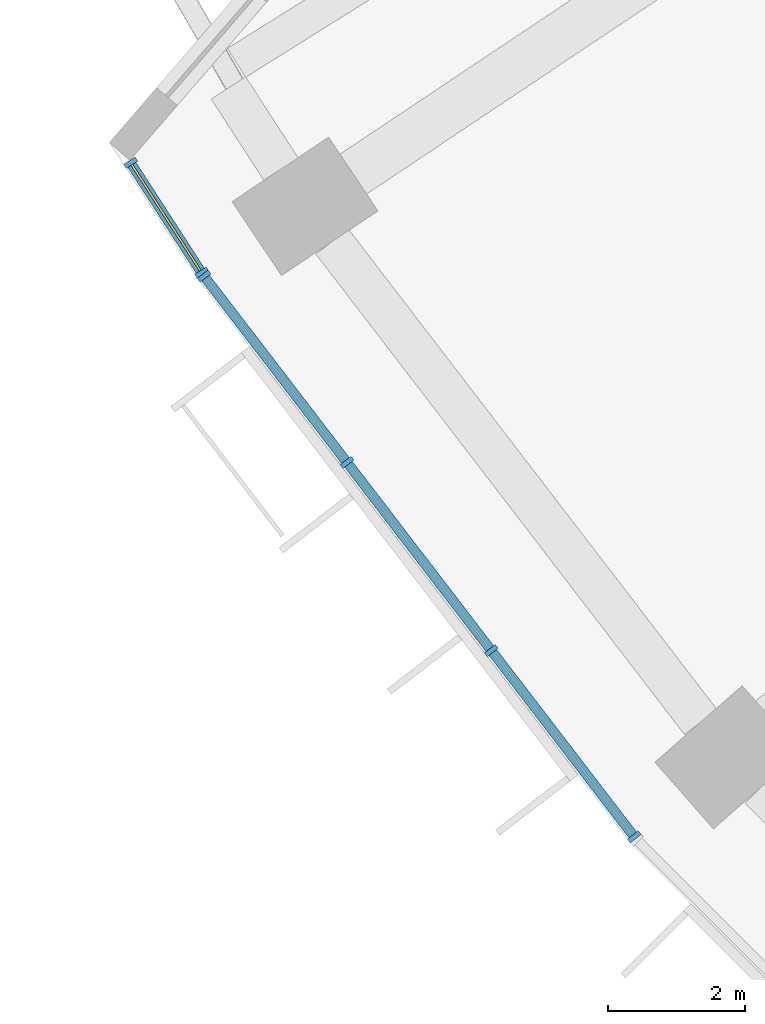
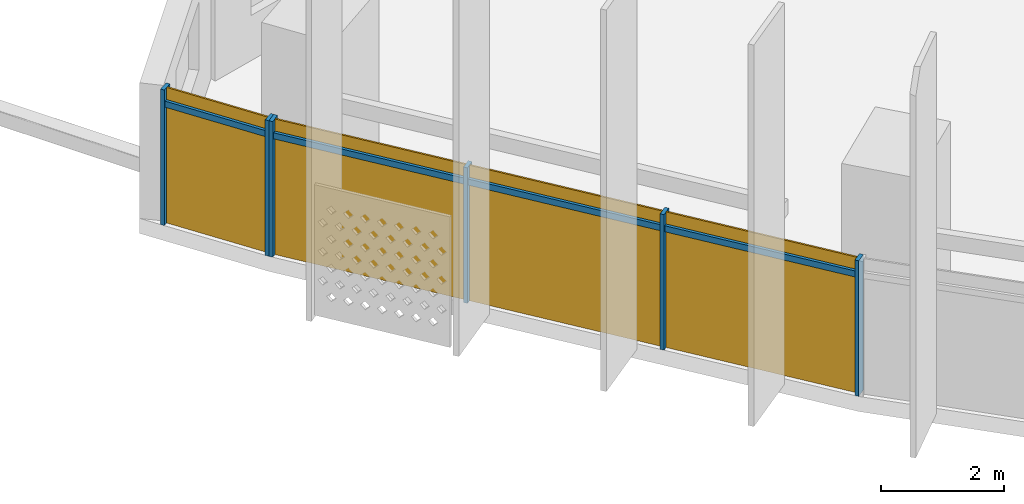
# One storey, part 20 of 31: 10 members, 2 curtain walls.
"""IFC4 building model written with IfcOpenShell, lengths in metres."""

from ifc_helpers import new_model, si_unit, direction, frame, origin, origin_2d, place, context, subcontext, project, spatial, rectangle, extrude, material, material_profile, profile_set, type_object, element, aggregate, save


model = new_model("IFC4")

# Units and contexts
model_context = context("Model", 3, precision=1e-05, world=origin(), true_north=direction((0.0, 1.0)))
body_context = subcontext(model_context, "Body", "Model", "MODEL_VIEW")
ifc_project = project(units=[si_unit("LENGTHUNIT", "METRE"), si_unit("AREAUNIT", "SQUARE_METRE"), si_unit("VOLUMEUNIT", "CUBIC_METRE"), si_unit("PLANEANGLEUNIT", "RADIAN"), si_unit("MASSUNIT", "GRAM", prefix="KILO")], contexts=[model_context])

# Member
ifc_material = material(Name="Aluminium 6063-T6 anodised", Category="aluminium")
ifc_material_profile_1 = material_profile(ifc_material, rectangle(XDim=0.199951171875, YDim=0.070068359375, at=origin_2d()))
ifc_profile_set_1 = profile_set([ifc_material_profile_1], Name="Aluminium 6063-T6 anodised")
member_type_1 = type_object("IfcMemberType", Name="Mullion 70 x 200 aluminium", PredefinedType="MULLION", material=ifc_profile_set_1)
site_placement = place(None, origin())
building_placement = place(site_placement, origin())
storey_placement = place(building_placement, frame((0.0, 0.0, 55.699951171875)))
member_1_placement = place(storey_placement, frame((-67.2021484375, -42.558837890625, 0.0), z_axis=(0.0, 0.0, 1.0), x_axis=(0.839646175777, 0.543133776802, 0.0)))
member_1 = element("IfcMember", 1, at=member_1_placement, type_object=member_type_1, Name="e-cw1-L10-out00/M00", PredefinedType="MULLION", context=body_context, shape_type="SweptSolid", body=[
    extrude(rectangle(XDim=0.199951171875, YDim=0.070068359375, at=origin_2d()), origin(), (0.0, 0.0, 1.0), 2.699951171875),
])

member_2_placement = place(storey_placement, frame((-66.16162109375, -44.16748046875, 0.0), z_axis=(0.0, 0.0, 1.0), x_axis=(0.839646175777, 0.543133776802, 0.0)))
member_2 = element("IfcMember", 2, at=member_2_placement, type_object=member_type_1, Name="e-cw1-L10-out00/M01", PredefinedType="MULLION", context=body_context, shape_type="SweptSolid", body=[
    extrude(rectangle(XDim=0.199951171875, YDim=0.070068359375, at=origin_2d()), origin(), (0.0, 0.0, 1.0), 2.699951171875),
])

member_3_placement = place(storey_placement, frame((-66.1259765625, -44.218017578125, 0.0), z_axis=(0.0, 0.0, 1.0), x_axis=(0.793353340291, 0.608761429009, 0.0)))
member_3 = element("IfcMember", 3, at=member_3_placement, type_object=member_type_1, Name="e-cw1-L10-out01/M00", PredefinedType="MULLION", context=body_context, shape_type="SweptSolid", body=[
    extrude(rectangle(XDim=0.199951171875, YDim=0.070068359375, at=origin_2d()), origin(), (0.0, 0.0, 1.0), 2.699951171875),
])

member_4_placement = place(storey_placement, frame((-64.032958984375, -46.945556640625, 0.0), z_axis=(0.0, 0.0, 1.0), x_axis=(0.793353340291, 0.608761429009, 0.0)))
member_4 = element("IfcMember", 4, at=member_4_placement, type_object=member_type_1, Name="e-cw1-L10-out01/M01", PredefinedType="MULLION", context=body_context, shape_type="SweptSolid", body=[
    extrude(rectangle(XDim=0.199951171875, YDim=0.070068359375, at=origin_2d()), origin(), (0.0, 0.0, 1.0), 2.699951171875),
])

member_5_placement = place(storey_placement, frame((-61.9189453125, -49.70068359375, 0.0), z_axis=(0.0, 0.0, 1.0), x_axis=(0.793353340291, 0.608761429009, 0.0)))
member_5 = element("IfcMember", 5, at=member_5_placement, type_object=member_type_1, Name="e-cw1-L10-out01/M02", PredefinedType="MULLION", context=body_context, shape_type="SweptSolid", body=[
    extrude(rectangle(XDim=0.199951171875, YDim=0.070068359375, at=origin_2d()), origin(), (0.0, 0.0, 1.0), 2.699951171875),
])

member_6_placement = place(storey_placement, frame((-59.825927734375, -52.42822265625, 0.0), z_axis=(0.0, 0.0, 1.0), x_axis=(0.793353340291, 0.608761429009, 0.0)))
member_6 = element("IfcMember", 6, at=member_6_placement, type_object=member_type_1, Name="e-cw1-L10-out01/M03", PredefinedType="MULLION", context=body_context, shape_type="SweptSolid", body=[
    extrude(rectangle(XDim=0.199951171875, YDim=0.070068359375, at=origin_2d()), origin(), (0.0, 0.0, 1.0), 2.699951171875),
])

ifc_material_profile_2 = material_profile(ifc_material, rectangle(XDim=0.139892578125, YDim=0.1201171875, at=origin_2d()))
ifc_profile_set_2 = profile_set([ifc_material_profile_2], Name="Aluminium 6063-T6 anodised")
member_type_2 = type_object("IfcMemberType", Name="Transom 120 x 140 aluminium", PredefinedType="USERDEFINED", material=ifc_profile_set_2)
member_7_placement = place(storey_placement, frame((-67.18310546875, -42.588134765625, 2.400146484375), z_axis=(0.543048360282, -0.83970142217, 0.0), x_axis=(0.83970142217, 0.543048360282, 0.0)))
member_7 = element("IfcMember", 7, at=member_7_placement, type_object=member_type_2, Name="e-cw1-L10-out00/T00", ObjectType="TRANSOM", PredefinedType="USERDEFINED", context=body_context, shape_type="SweptSolid", body=[
    extrude(rectangle(XDim=0.139892578125, YDim=0.1201171875, at=origin_2d()), origin(), (0.0, 0.0, 1.0), 1.845947265625),
])

member_8_placement = place(storey_placement, frame((-66.1044921875, -44.245849609375, 2.400146484375), z_axis=(0.608732839803, -0.793375276742, 0.0), x_axis=(0.793375276742, 0.608732839803, 0.0)))
member_8 = element("IfcMember", 8, at=member_8_placement, type_object=member_type_2, Name="e-cw1-L10-out01/T00", ObjectType="TRANSOM", PredefinedType="USERDEFINED", context=body_context, shape_type="SweptSolid", body=[
    extrude(rectangle(XDim=0.139892578125, YDim=0.1201171875, at=origin_2d()), origin(), (0.0, 0.0, 1.0), 3.36767578125),
])

member_9_placement = place(storey_placement, frame((-64.01171875, -46.973388671875, 2.400146484375), z_axis=(0.60875683052, -0.793356868815, 0.0), x_axis=(0.793356868815, 0.60875683052, 0.0)))
member_9 = element("IfcMember", 9, at=member_9_placement, type_object=member_type_2, Name="e-cw1-L10-out01/T01", ObjectType="TRANSOM", PredefinedType="USERDEFINED", context=body_context, shape_type="SweptSolid", body=[
    extrude(rectangle(XDim=0.139892578125, YDim=0.1201171875, at=origin_2d()), origin(), (0.0, 0.0, 1.0), 3.40283203125),
])

member_10_placement = place(storey_placement, frame((-61.8974609375, -49.728515625, 2.400146484375), z_axis=(0.608732839803, -0.793375276742, 0.0), x_axis=(0.793375276742, 0.608732839803, 0.0)))
member_10 = element("IfcMember", 10, at=member_10_placement, type_object=member_type_2, Name="e-cw1-L10-out01/T02", ObjectType="TRANSOM", PredefinedType="USERDEFINED", context=body_context, shape_type="SweptSolid", body=[
    extrude(rectangle(XDim=0.139892578125, YDim=0.1201171875, at=origin_2d()), origin(), (0.0, 0.0, 1.0), 3.36767578125),
])

# Site, building, storey
site = spatial("IfcSite", under=ifc_project, at=site_placement, CompositionType="ELEMENT")
building = spatial("IfcBuilding", under=site, at=building_placement, Name="Qamariyya Broadcast Tower", CompositionType="ELEMENT")
storey = spatial("IfcBuildingStorey", under=building, at=storey_placement, Name="L10", CompositionType="ELEMENT", Elevation=55.699951171875)

# Curtain wall
curtain_wall_type = type_object("IfcCurtainWallType", Name="Unitised curtain wall, anodised aluminium", PredefinedType="NOTDEFINED", material=ifc_material)
curtain_wall_1_placement = place(storey_placement, origin())
curtain_wall_1 = element("IfcCurtainWall", 11, at=curtain_wall_1_placement, inside=storey, type_object=curtain_wall_type, Name="e-cw1-L10-out00", PredefinedType="NOTDEFINED", context=body_context, shape_type="SweptSolid", body=[
    extrude(rectangle(XDim=1.845947265625, YDim=0.031982421875, at=origin_2d()), frame((-66.681884765625, -43.363037109375, 0.0), x_axis=(0.543128936599, -0.839649306693, 0.0)), (0.0, 0.0, 1.0), 2.340087890625),
    extrude(rectangle(XDim=1.845947265625, YDim=0.031982421875, at=origin_2d()), frame((-66.681884765625, -43.363037109375, 2.4599609375), x_axis=(0.543128936599, -0.839649306693, 0.0)), (0.0, 0.0, 1.0), 0.239990234375),
])

aggregate(curtain_wall_1, [member_1, member_2, member_7])

curtain_wall_2_placement = place(storey_placement, origin())
curtain_wall_2 = element("IfcCurtainWall", 12, at=curtain_wall_2_placement, inside=storey, type_object=curtain_wall_type, Name="e-cw1-L10-out01", PredefinedType="NOTDEFINED", context=body_context, shape_type="SweptSolid", body=[
    extrude(rectangle(XDim=3.367919921875, YDim=0.031982421875, at=origin_2d()), frame((-65.07958984375, -45.581787109375, 0.0), x_axis=(0.608755679475, -0.79335775203, 0.0)), (0.0, 0.0, 1.0), 2.340087890625),
    extrude(rectangle(XDim=3.367919921875, YDim=0.031982421875, at=origin_2d()), frame((-65.07958984375, -45.581787109375, 2.4599609375), x_axis=(0.608755679475, -0.79335775203, 0.0)), (0.0, 0.0, 1.0), 0.239990234375),
    extrude(rectangle(XDim=3.40283203125, YDim=0.031982421875, at=origin_2d()), frame((-62.97607421875, -48.3232421875, 0.0), x_axis=(0.608755679475, -0.79335775203, 0.0)), (0.0, 0.0, 1.0), 2.340087890625),
    extrude(rectangle(XDim=3.40283203125, YDim=0.031982421875, at=origin_2d()), frame((-62.97607421875, -48.3232421875, 2.4599609375), x_axis=(0.608755679475, -0.79335775203, 0.0)), (0.0, 0.0, 1.0), 0.239990234375),
    extrude(rectangle(XDim=3.367919921875, YDim=0.031982421875, at=origin_2d()), frame((-60.872314453125, -51.064453125, 0.0), x_axis=(0.608755679475, -0.79335775203, 0.0)), (0.0, 0.0, 1.0), 2.340087890625),
    extrude(rectangle(XDim=3.367919921875, YDim=0.031982421875, at=origin_2d()), frame((-60.872314453125, -51.064453125, 2.4599609375), x_axis=(0.608755679475, -0.79335775203, 0.0)), (0.0, 0.0, 1.0), 0.239990234375),
])

aggregate(curtain_wall_2, [member_3, member_4, member_5, member_6, member_8, member_9, member_10])

save(model, "model.ifc")
